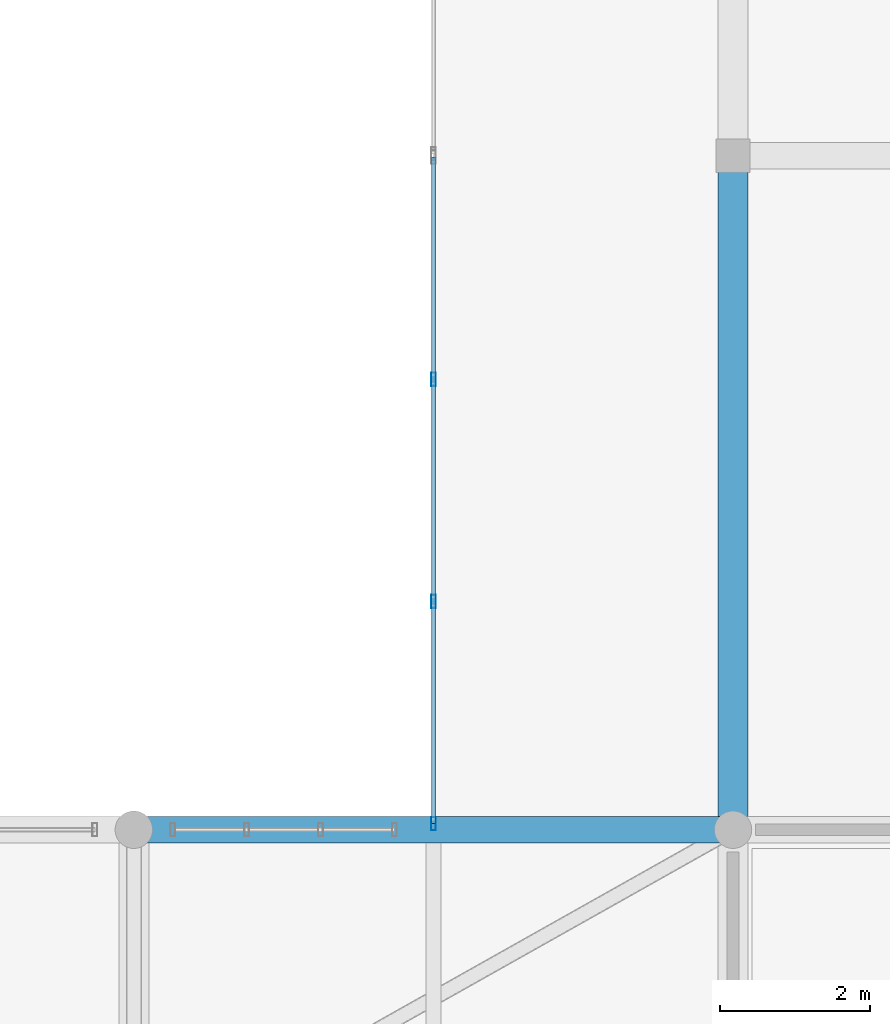
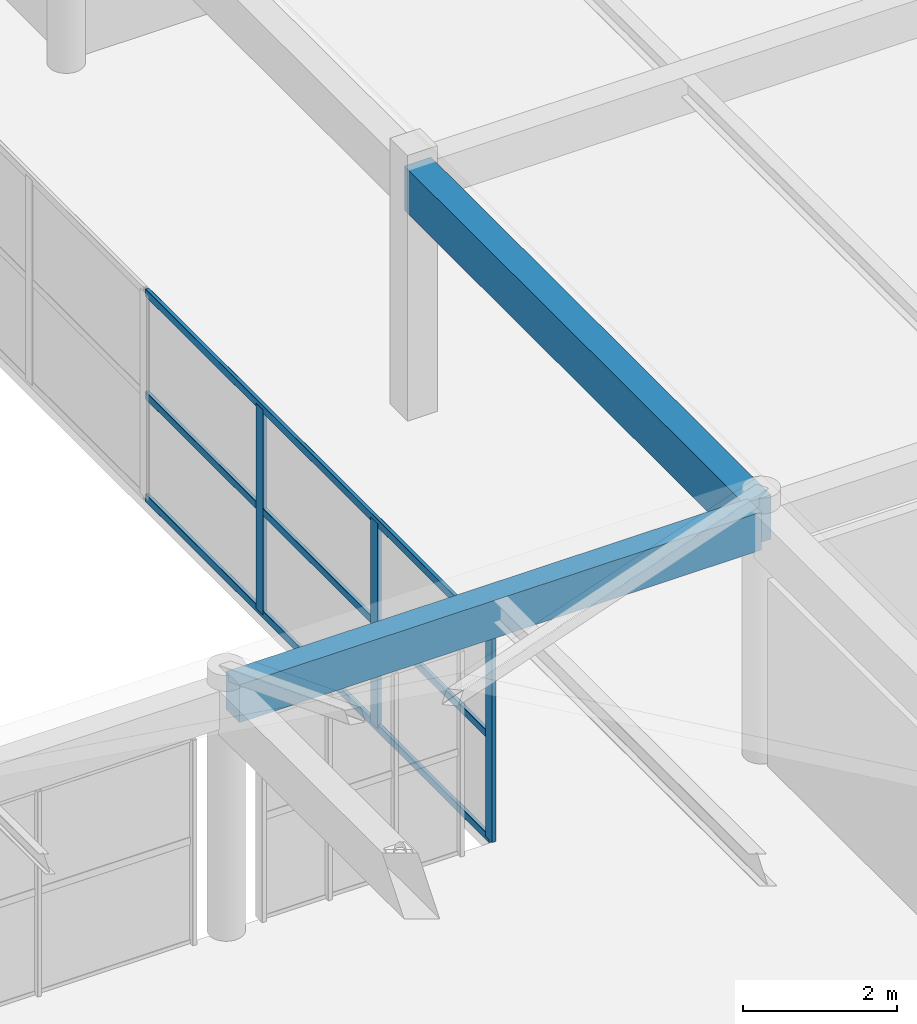
# One storey, part 31 of 63: 6 members, 2 beams, 1 element without a shape of its own.
"""IFC4 building model written with IfcOpenShell, lengths in metres."""

from ifc_helpers import new_model, si_unit, direction, frame, origin, origin_2d, place, context, subcontext, project, spatial, rectangle, hollow_rectangle, extrude, material, material_profile, profile_set, type_object, element, aggregate, save


model = new_model("IFC4")

# Units and contexts
model_context = context("Model", 3, precision=1e-05, world=origin(), true_north=direction((0.0, 1.0)))
body_context = subcontext(model_context, "Body", "Model", "MODEL_VIEW")
ifc_project = project(units=[si_unit("LENGTHUNIT", "METRE"), si_unit("AREAUNIT", "SQUARE_METRE"), si_unit("VOLUMEUNIT", "CUBIC_METRE"), si_unit("PLANEANGLEUNIT", "RADIAN"), si_unit("MASSUNIT", "GRAM", prefix="KILO")], contexts=[model_context])

# Site, building, storey
site_placement = place(None, origin())
site = spatial("IfcSite", under=ifc_project, at=site_placement, CompositionType="ELEMENT")
building_placement = place(site_placement, origin())
building = spatial("IfcBuilding", under=site, at=building_placement, Name="Varnabhumi Central Station", CompositionType="ELEMENT")
storey_placement = place(building_placement, frame((0.0, 0.0, 20.39990234375)))
storey = spatial("IfcBuildingStorey", under=building, at=storey_placement, Name="L04", CompositionType="ELEMENT", Elevation=20.39990234375)

# Beams
ifc_material_1 = material(Name="Concrete M40", Category="concrete")
ifc_material_profile_1 = material_profile(ifc_material_1, rectangle(XDim=0.35009765625, YDim=0.60009765625, at=origin_2d()), Name="Concrete M40", Category="concrete")
ifc_profile_set_1 = profile_set([ifc_material_profile_1], Name="Concrete M40")
beam_type_1 = type_object("IfcBeamType", Name="BM-RC-350x600", PredefinedType="BEAM", material=ifc_profile_set_1)
beam_1_placement = place(storey_placement, frame((72.10009765625, 89.0, 3.650146484375), z_axis=(1.0, 0.0, 0.0), x_axis=(0.0, 1.0, 0.0)))
element("IfcBeam", 1, at=beam_1_placement, inside=storey, type_object=beam_type_1, Name="Beam L04-L:10-11", PredefinedType="BEAM", context=body_context, shape_type="SweptSolid", body=[
    extrude(rectangle(XDim=0.35009765625, YDim=0.60009765625, at=origin_2d()), origin(), (0.0, 0.0, 1.0), 7.7998046875),
])
ifc_material_profile_2 = material_profile(ifc_material_1, rectangle(XDim=0.39990234375, YDim=0.699951171875, at=origin_2d()), Name="Concrete M40", Category="concrete")
ifc_profile_set_2 = profile_set([ifc_material_profile_2], Name="Concrete M40")
beam_type_2 = type_object("IfcBeamType", Name="BM-RC-700x400", PredefinedType="BEAM", material=ifc_profile_set_2)
beam_2_placement = place(storey_placement, frame((80.0, 89.10009765625, 3.60009765625), z_axis=(0.0, 1.0, 0.0), x_axis=(-1.0, 0.0, 0.0)))
element("IfcBeam", 2, at=beam_2_placement, inside=storey, type_object=beam_type_2, Name="Beam L04-11:L-M", PredefinedType="BEAM", context=body_context, shape_type="SweptSolid", body=[
    extrude(rectangle(XDim=0.39990234375, YDim=0.699951171875, at=origin_2d()), origin(), (0.0, 0.0, 1.0), 8.7998046875),
])

# Curtain wall, members
ifc_material_2 = material(Name="Anodised aluminium 6063-T6", Category="aluminium")
curtain_wall_type = type_object("IfcCurtainWallType", Name="CW-PATIO-LOGGIA-L3", PredefinedType="NOTDEFINED", material=ifc_material_2)
curtain_wall_placement = place(storey_placement, origin())
curtain_wall = element("IfcCurtainWall", 3, at=curtain_wall_placement, inside=storey, type_object=curtain_wall_type, Name="Curtain Wall CW-NP4W1", PredefinedType="NOTDEFINED")
ifc_material_profile_3 = material_profile(ifc_material_2, hollow_rectangle(XDim=0.06494140625, YDim=0.179931640625, WallThickness=0.00390625, InnerFilletRadius=0.001953125, OuterFilletRadius=0.006103515625, at=origin_2d()), Name="Anodised aluminium 6063-T6", Category="aluminium")
ifc_profile_set_3 = profile_set([ifc_material_profile_3], Name="Anodised aluminium 6063-T6")
member_type_1 = type_object("IfcMemberType", Name="CW-MUL-180", PredefinedType="MULLION", material=ifc_profile_set_3)
member_1_placement = place(storey_placement, frame((76.0, 89.080078125, 0.0), z_axis=(0.0, 0.0, 1.0), x_axis=(1.0, 0.0, 0.0)))
member_1 = element("IfcMember", 4, at=member_1_placement, type_object=member_type_1, Name="Curtain Wall Mullion CW-NP4W1-M1", PredefinedType="MULLION", context=body_context, shape_type="SweptSolid", body=[
    extrude(hollow_rectangle(XDim=0.06494140625, YDim=0.179931640625, WallThickness=0.00390625, InnerFilletRadius=0.001953125, OuterFilletRadius=0.006103515625, at=origin_2d()), origin(), (0.0, 0.0, 1.0), 3.239990234375),
])
member_2_placement = place(storey_placement, frame((76.0, 92.046630859375, 0.0), z_axis=(0.0, 0.0, 1.0), x_axis=(1.0, 0.0, 0.0)))
member_2 = element("IfcMember", 5, at=member_2_placement, type_object=member_type_1, Name="Curtain Wall Mullion CW-NP4W1-M2", PredefinedType="MULLION", context=body_context, shape_type="SweptSolid", body=[
    extrude(hollow_rectangle(XDim=0.06494140625, YDim=0.179931640625, WallThickness=0.00390625, InnerFilletRadius=0.001953125, OuterFilletRadius=0.006103515625, at=origin_2d()), origin(), (0.0, 0.0, 1.0), 3.239990234375),
])
member_3_placement = place(storey_placement, frame((76.0, 95.013427734375, 0.0), z_axis=(0.0, 0.0, 1.0), x_axis=(1.0, 0.0, 0.0)))
member_3 = element("IfcMember", 6, at=member_3_placement, type_object=member_type_1, Name="Curtain Wall Mullion CW-NP4W1-M3", PredefinedType="MULLION", context=body_context, shape_type="SweptSolid", body=[
    extrude(hollow_rectangle(XDim=0.06494140625, YDim=0.179931640625, WallThickness=0.00390625, InnerFilletRadius=0.001953125, OuterFilletRadius=0.006103515625, at=origin_2d()), origin(), (0.0, 0.0, 1.0), 3.239990234375),
])
ifc_material_profile_4 = material_profile(ifc_material_2, hollow_rectangle(XDim=0.054931640625, YDim=0.1201171875, WallThickness=0.00341796875, InnerFilletRadius=0.00146484375, OuterFilletRadius=0.0048828125, at=origin_2d()), Name="Anodised aluminium 6063-T6", Category="aluminium")
ifc_profile_set_4 = profile_set([ifc_material_profile_4], Name="Anodised aluminium 6063-T6")
member_type_2 = type_object("IfcMemberType", Name="CW-TR-120", PredefinedType="USERDEFINED", material=ifc_profile_set_4)
member_4_placement = place(storey_placement, frame((76.0, 89.080078125, 0.0), z_axis=(0.0, 1.0, 0.0), x_axis=(-1.0, 0.0, 0.0)))
member_4 = element("IfcMember", 7, at=member_4_placement, type_object=member_type_2, Name="Curtain Wall Transom CW-NP4W1-T1", ObjectType="TRANSOM", PredefinedType="USERDEFINED", context=body_context, shape_type="SweptSolid", body=[
    extrude(hollow_rectangle(XDim=0.054931640625, YDim=0.1201171875, WallThickness=0.00341796875, InnerFilletRadius=0.00146484375, OuterFilletRadius=0.0048828125, at=origin_2d()), origin(), (0.0, 0.0, 1.0), 8.89990234375),
])
member_5_placement = place(storey_placement, frame((76.0, 89.080078125, 1.6201171875), z_axis=(0.0, 1.0, 0.0), x_axis=(-1.0, 0.0, 0.0)))
member_5 = element("IfcMember", 8, at=member_5_placement, type_object=member_type_2, Name="Curtain Wall Transom CW-NP4W1-T2", ObjectType="TRANSOM", PredefinedType="USERDEFINED", context=body_context, shape_type="SweptSolid", body=[
    extrude(hollow_rectangle(XDim=0.054931640625, YDim=0.1201171875, WallThickness=0.00341796875, InnerFilletRadius=0.00146484375, OuterFilletRadius=0.0048828125, at=origin_2d()), origin(), (0.0, 0.0, 1.0), 8.89990234375),
])
member_6_placement = place(storey_placement, frame((76.0, 89.080078125, 3.239990234375), z_axis=(0.0, 1.0, 0.0), x_axis=(-1.0, 0.0, 0.0)))
member_6 = element("IfcMember", 9, at=member_6_placement, type_object=member_type_2, Name="Curtain Wall Transom CW-NP4W1-T3", ObjectType="TRANSOM", PredefinedType="USERDEFINED", context=body_context, shape_type="SweptSolid", body=[
    extrude(hollow_rectangle(XDim=0.054931640625, YDim=0.1201171875, WallThickness=0.00341796875, InnerFilletRadius=0.00146484375, OuterFilletRadius=0.0048828125, at=origin_2d()), origin(), (0.0, 0.0, 1.0), 8.89990234375),
])
aggregate(curtain_wall, [member_1, member_2, member_3, member_4, member_5, member_6])

save(model, "model.ifc")
